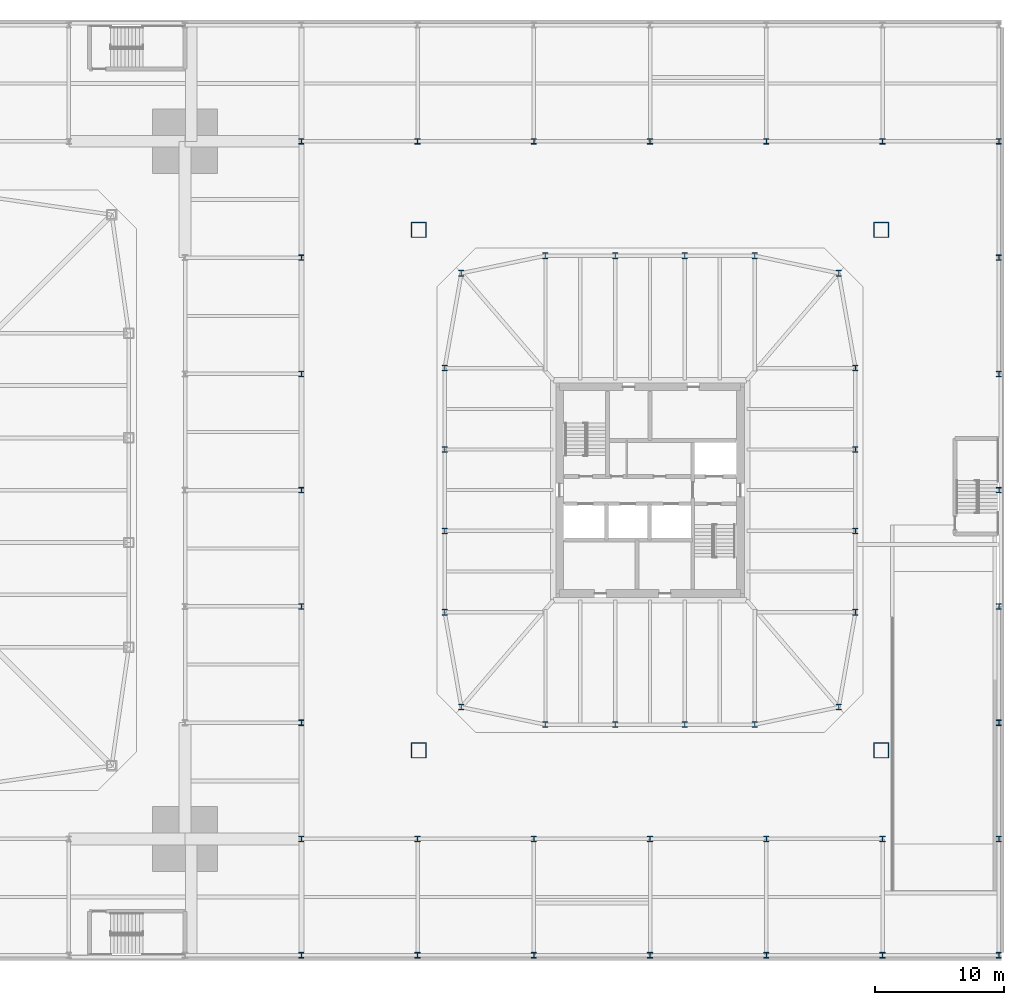
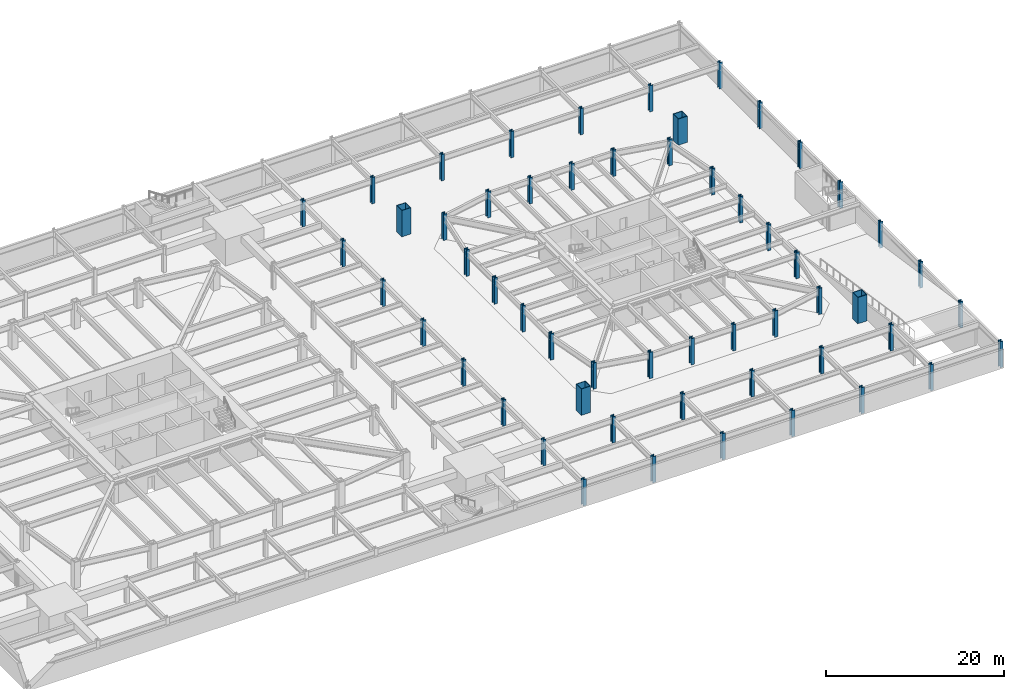
# One storey, part 3 of 17: 55 columns.
"""IFC4 building model written with IfcOpenShell, lengths in metres."""

import ifcopenshell
import ifcopenshell.guid

model = None  # the IFC model being written
_history = None  # IfcOwnerHistory: only IFC2X3 demands one
_inside = {}  # id of a spatial element -> (the spatial element, [elements in it])
_under = {}  # id of a project, library or spatial element -> (it, [spatial elements below it])
_declared = {}  # id of a project -> (the project, [libraries it declares])
_typed = {}  # id of a type object -> (the type object, [elements of that type])
_made_of = {}  # id of a material, layer set ... -> (it, [elements and type objects made of it])


def new_model(schema):
    """Start an empty IFC model of exactly this schema.

    Asked for "IFC4X3", IfcOpenShell would pick the latest addendum, in which some entities
    have other attributes; the version numbers below select the first issue.
    IFC2X3 requires an IfcOwnerHistory on every rooted entity: one is made here for all.
    """
    global model, _history
    if schema == "IFC4X3":
        model = ifcopenshell.file(schema_version=(4, 3, 0, 0))
    else:
        model = ifcopenshell.file(schema=schema)
    _inside.clear()
    _under.clear()
    _declared.clear()
    _typed.clear()
    _made_of.clear()
    _history = None
    if model.schema == "IFC2X3":
        org = make("IfcOrganization", Name="unknown")
        user = make(
            "IfcPersonAndOrganization",
            ThePerson=make("IfcPerson", FamilyName="unknown"),
            TheOrganization=org,
        )
        app = make(
            "IfcApplication",
            ApplicationDeveloper=org,
            Version="unknown",
            ApplicationFullName="unknown",
            ApplicationIdentifier="unknown",
        )
        _history = make(
            "IfcOwnerHistory",
            OwningUser=user,
            OwningApplication=app,
            ChangeAction="ADDED",
            CreationDate=0,
        )
    return model


def make(cls, **values):
    """One entity of the class cls with the attributes given. An attribute that is None is left unset."""
    return model.create_entity(
        cls, **{name: value for name, value in values.items() if value is not None}
    )


def rooted(cls, **values):
    """An entity with a GlobalId (a new one), such as an element, a storey or a relation."""
    return make(cls, GlobalId=ifcopenshell.guid.new(), OwnerHistory=_history, **values)


def si_unit(unit_type, name, prefix=None):
    """IfcSIUnit, for example si_unit("LENGTHUNIT", "METRE", prefix="MILLI")."""
    return make("IfcSIUnit", UnitType=unit_type, Prefix=prefix, Name=name)


def assignment(units):
    """IfcUnitAssignment: the units of a project."""
    return None if units is None else make("IfcUnitAssignment", Units=units)


def point(xyz):
    """IfcCartesianPoint."""
    return None if xyz is None else make("IfcCartesianPoint", Coordinates=xyz)


def direction(xyz):
    """IfcDirection."""
    return None if xyz is None else make("IfcDirection", DirectionRatios=xyz)


def frame(location, z_axis=None, x_axis=None):
    """IfcAxis2Placement3D, a coordinate frame: its origin and axes. An axis left out is left unset."""
    return make(
        "IfcAxis2Placement3D",
        Location=point(location),
        Axis=direction(z_axis),
        RefDirection=direction(x_axis),
    )


def frame_2d(location, x_axis=None):
    """IfcAxis2Placement2D, a coordinate frame in the plane: its origin and x axis."""
    return make(
        "IfcAxis2Placement2D", Location=point(location), RefDirection=direction(x_axis)
    )


def origin():
    """The frame at (0, 0, 0) with its axes left unset."""
    return frame((0.0, 0.0, 0.0))


def origin_2d():
    """The frame at (0, 0) in the plane with its x axis left unset."""
    return frame_2d((0.0, 0.0))


def place(relative_to, where):
    """IfcLocalPlacement: puts the frame where relative to a parent placement (None: the world)."""
    return make(
        "IfcLocalPlacement", PlacementRelTo=relative_to, RelativePlacement=where
    )


def context(
    kind, dimensions, precision=None, world=None, true_north=None, identifier=None
):
    """IfcGeometricRepresentationContext, for example the 3D "Model" context."""
    return make(
        "IfcGeometricRepresentationContext",
        ContextIdentifier=identifier,
        ContextType=kind,
        CoordinateSpaceDimension=dimensions,
        Precision=precision,
        WorldCoordinateSystem=world,
        TrueNorth=true_north,
    )


def subcontext(parent, identifier, kind, view, scale=None):
    """IfcGeometricRepresentationSubContext, for example "Body" below "Model"."""
    return make(
        "IfcGeometricRepresentationSubContext",
        ContextIdentifier=identifier,
        ContextType=kind,
        ParentContext=parent,
        TargetScale=scale,
        TargetView=view,
    )


def project(units=None, contexts=None):
    """IfcProject with its units and contexts."""
    return rooted(
        "IfcProject",
        Name="project",
        RepresentationContexts=contexts,
        UnitsInContext=assignment(units),
    )


def spatial(cls, under=None, at=None, **own):
    """A site, building, storey or space (cls), placed at a placement, below another one or the project."""
    s = rooted(cls, ObjectPlacement=at, **own)
    if under is not None:
        _under.setdefault(under.id(), (under, []))[1].append(s)
    return s


def profile(cls, at=None, kind="AREA", **sizes):
    """A parametric profile (cls). Its sizes go by their IFC names, for example OverallWidth=200.0."""
    return make(cls, ProfileType=kind, Position=at, **sizes)


def hollow_rectangle(**sizes):
    """IfcRectangleHollowProfileDef."""
    return profile("IfcRectangleHollowProfileDef", **sizes)


def i_section(**sizes):
    """IfcIShapeProfileDef."""
    return profile("IfcIShapeProfileDef", **sizes)


def extrude(swept, where, along, depth):
    """IfcExtrudedAreaSolid: the profile swept, set in the frame where, extruded along a direction by depth."""
    return make(
        "IfcExtrudedAreaSolid",
        SweptArea=swept,
        Position=where,
        ExtrudedDirection=direction(along),
        Depth=depth,
    )


def shape(context_of_items, identifier, shape_type, items):
    """IfcShapeRepresentation: the items that make up one representation, for example the "Body"."""
    return make(
        "IfcShapeRepresentation",
        ContextOfItems=context_of_items,
        RepresentationIdentifier=identifier,
        RepresentationType=shape_type,
        Items=items,
    )


def material(Name=None, Category=None):
    """IfcMaterial."""
    return make("IfcMaterial", Name=Name, Category=Category)


def material_profile(
    of_material, cross_section, Name=None, Category=None, Priority=None
):
    """IfcMaterialProfile: a cross section and its material."""
    return make(
        "IfcMaterialProfile",
        Name=Name,
        Material=of_material,
        Profile=cross_section,
        Priority=Priority,
        Category=Category,
    )


def profile_set(profiles, Name=None, composite=None):
    """IfcMaterialProfileSet."""
    return make(
        "IfcMaterialProfileSet",
        Name=Name,
        MaterialProfiles=profiles,
        CompositeProfile=composite,
    )


def made_of(thing, what):
    """Note that an element or type object is made of a material, layer set ...; save() writes the relation."""
    if what is not None:
        _made_of.setdefault(what.id(), (what, []))[1].append(thing)
    return thing


def type_object(cls, material=None, **own):
    """A type object (cls), such as IfcWallType, which elements share."""
    return made_of(rooted(cls, **own), material)


def element(
    cls,
    number,
    at=None,
    inside=None,
    cuts=None,
    type_object=None,
    material=None,
    context=None,
    identifier="Body",
    shape_type=None,
    held_by="IfcProductDefinitionShape",
    body=None,
    shapes=None,
    **own,
):
    """One element of the class cls, such as IfcWall. Its Tag is "e" and its number.

    at: its placement. inside: the storey or other place that contains it. cuts: it is an
    opening in that element (IfcRelVoidsElement). A single representation is given by context,
    identifier, shape_type and body (its items); several are given by shapes. held_by: the class
    of the entity that holds the representations. save() writes the other relations.
    """
    e = rooted(cls, Tag="e%d" % number, ObjectPlacement=at, **own)
    if body is not None:
        shapes = [shape(context, identifier, shape_type, body)]
    if shapes is not None:
        e.Representation = make(held_by, Representations=shapes)
    if inside is not None:
        _inside.setdefault(inside.id(), (inside, []))[1].append(e)
    if cuts is not None:
        rooted(
            "IfcRelVoidsElement", RelatingBuildingElement=cuts, RelatedOpeningElement=e
        )
    if type_object is not None:
        _typed.setdefault(type_object.id(), (type_object, []))[1].append(e)
    return made_of(e, material)


def aggregate(whole, parts):
    """IfcRelAggregates: a whole, such as a stair, and the parts it consists of."""
    return rooted("IfcRelAggregates", RelatingObject=whole, RelatedObjects=parts)


def save(model, path):
    """Write the relations noted so far, then the file.

    IfcRelAggregates (storeys below a building ...), IfcRelContainedInSpatialStructure (elements
    in a storey), IfcRelDefinesByType, IfcRelAssociatesMaterial and IfcRelDeclares: one each for
    every whole, place, type object, material and project.
    """
    for whole, parts in _under.values():
        aggregate(whole, parts)
    for where, things in _inside.values():
        rooted(
            "IfcRelContainedInSpatialStructure",
            RelatedElements=things,
            RelatingStructure=where,
        )
    for kind, things in _typed.values():
        rooted("IfcRelDefinesByType", RelatedObjects=things, RelatingType=kind)
    for what, things in _made_of.values():
        rooted("IfcRelAssociatesMaterial", RelatedObjects=things, RelatingMaterial=what)
    for by, libraries in _declared.values():
        rooted("IfcRelDeclares", RelatingContext=by, RelatedDefinitions=libraries)
    model.write(path)


model = new_model("IFC4")

# Units and contexts
model_context = context("Model", 3, precision=1e-05, world=origin(), true_north=direction((0.0, 1.0)))
body_context = subcontext(model_context, "Body", "Model", "MODEL_VIEW")
ifc_project = project(units=[si_unit("LENGTHUNIT", "METRE"), si_unit("AREAUNIT", "SQUARE_METRE"), si_unit("VOLUMEUNIT", "CUBIC_METRE"), si_unit("PLANEANGLEUNIT", "RADIAN"), si_unit("MASSUNIT", "GRAM", prefix="KILO")], contexts=[model_context])

# Site, building, storey
site_placement = place(None, origin())
site = spatial("IfcSite", under=ifc_project, at=site_placement, CompositionType="ELEMENT")
building_placement = place(site_placement, origin())
building = spatial("IfcBuilding", under=site, at=building_placement, Name="Iwan Alto Co-Living Towers", CompositionType="ELEMENT")
storey_placement = place(building_placement, frame((0.0, 0.0, -3.60009765625)))
storey = spatial("IfcBuildingStorey", under=building, at=storey_placement, Name="B1", CompositionType="ELEMENT", Elevation=-3.60009765625)

# Columns
ifc_material_1 = material(Name="Steel ASTM A992 Gr 50", Category="steel")
ifc_material_profile_1 = material_profile(ifc_material_1, i_section(OverallWidth=0.411376953125, OverallDepth=0.434326171875, WebThickness=0.035888671875, FlangeThickness=0.057373046875, at=origin_2d()), Name="W14X311")
ifc_profile_set_1 = profile_set([ifc_material_profile_1], Name="Steel ASTM A992 Gr 50")
column_type_1 = type_object("IfcColumnType", Name="PODIUM COLUMN W14X311", PredefinedType="COLUMN", material=ifc_profile_set_1)
for number, where, z_axis, x_axis, name in (
    (1, (36.0, -36.0, 0.0), (0.0, 0.0, 1.0), (1.0, 0.0, 0.0), "Podium column 9/A B1"),
    (2, (36.0, -27.0, 0.0), (0.0, 0.0, 1.0), (1.0, 0.0, 0.0), "Podium column 9/B B1"),
    (3, (36.0, -18.0, 0.0), (0.0, 0.0, 1.0), (1.0, 0.0, 0.0), "Podium column 9/C B1"),
    (4, (36.0, -9.0, 0.0), (0.0, 0.0, 1.0), (1.0, 0.0, 0.0), "Podium column 9/D B1"),
    (5, (36.0, 0.0, 0.0), (0.0, 0.0, 1.0), (1.0, 0.0, 0.0), "Podium column 9/E B1"),
    (6, (36.0, 9.0, 0.0), (0.0, 0.0, 1.0), (1.0, 0.0, 0.0), "Podium column 9/F B1"),
    (7, (36.0, 18.0, 0.0), (0.0, 0.0, 1.0), (1.0, 0.0, 0.0), "Podium column 9/G B1"),
    (8, (36.0, 27.0, 0.0), (0.0, 0.0, 1.0), (1.0, 0.0, 0.0), "Podium column 9/H B1"),
    (9, (45.0, -36.0, 0.0), (0.0, 0.0, 1.0), (1.0, 0.0, 0.0), "Podium column 10/A B1"),
    (10, (45.0, -27.0, 0.0), (0.0, 0.0, 1.0), (1.0, 0.0, 0.0), "Podium column 10/B B1"),
    (11, (45.0, 27.0, 0.0), (0.0, 0.0, 1.0), (1.0, 0.0, 0.0), "Podium column 10/H B1"),
    (12, (54.0, -36.0, 0.0), (0.0, 0.0, 1.0), (1.0, 0.0, 0.0), "Podium column 11/A B1"),
    (13, (54.0, -27.0, 0.0), (0.0, 0.0, 1.0), (1.0, 0.0, 0.0), "Podium column 11/B B1"),
    (14, (54.0, 27.0, 0.0), (0.0, 0.0, 1.0), (1.0, 0.0, 0.0), "Podium column 11/H B1"),
    (15, (63.0, -36.0, 0.0), (0.0, 0.0, 1.0), (1.0, 0.0, 0.0), "Podium column 12/A B1"),
    (16, (63.0, -27.0, 0.0), (0.0, 0.0, 1.0), (1.0, 0.0, 0.0), "Podium column 12/B B1"),
    (17, (63.0, 27.0, 0.0), (0.0, 0.0, 1.0), (1.0, 0.0, 0.0), "Podium column 12/H B1"),
    (18, (72.0, -36.0, 0.0), (0.0, 0.0, 1.0), (1.0, 0.0, 0.0), "Podium column 13/A B1"),
    (19, (72.0, -27.0, 0.0), (0.0, 0.0, 1.0), (1.0, 0.0, 0.0), "Podium column 13/B B1"),
    (20, (72.0, 27.0, 0.0), (0.0, 0.0, 1.0), (1.0, 0.0, 0.0), "Podium column 13/H B1"),
    (21, (81.0, -36.0, 0.0), (0.0, 0.0, 1.0), (1.0, 0.0, 0.0), "Podium column 14/A B1"),
    (22, (81.0, -27.0, 0.0), (0.0, 0.0, 1.0), (1.0, 0.0, 0.0), "Podium column 14/B B1"),
    (23, (81.0, 27.0, 0.0), (0.0, 0.0, 1.0), (1.0, 0.0, 0.0), "Podium column 14/H B1"),
    (24, (90.0, -36.0, 0.0), (0.0, 0.0, 1.0), (1.0, 0.0, 0.0), "Podium column 15/A B1"),
    (25, (90.0, -27.0, 0.0), (0.0, 0.0, 1.0), (1.0, 0.0, 0.0), "Podium column 15/B B1"),
    (26, (90.0, -18.0, 0.0), (0.0, 0.0, 1.0), (1.0, 0.0, 0.0), "Podium column 15/C B1"),
    (27, (90.0, -9.0, 0.0), (0.0, 0.0, 1.0), (1.0, 0.0, 0.0), "Podium column 15/D B1"),
    (28, (90.0, 0.0, 0.0), (0.0, 0.0, 1.0), (1.0, 0.0, 0.0), "Podium column 15/E B1"),
    (29, (90.0, 9.0, 0.0), (0.0, 0.0, 1.0), (1.0, 0.0, 0.0), "Podium column 15/F B1"),
    (30, (90.0, 18.0, 0.0), (0.0, 0.0, 1.0), (1.0, 0.0, 0.0), "Podium column 15/G B1"),
    (31, (90.0, 27.0, 0.0), (0.0, 0.0, 1.0), (1.0, 0.0, 0.0), "Podium column 15/H B1"),
):
    element("IfcColumn", number, at=place(storey_placement, frame(where, z_axis=z_axis, x_axis=x_axis)), inside=storey, type_object=column_type_1, Name=name, PredefinedType="COLUMN", context=body_context, shape_type="SweptSolid", body=[
        extrude(i_section(OverallWidth=0.411376953125, OverallDepth=0.434326171875, WebThickness=0.035888671875, FlangeThickness=0.057373046875, at=origin_2d()), origin(), (0.0, 0.0, 1.0), 3.60009765625),
    ])
ifc_material_2 = material(Name="Steel ASTM A572 Gr 50", Category="steel")
ifc_material_profile_2 = material_profile(ifc_material_2, hollow_rectangle(XDim=1.199951171875, YDim=1.199951171875, WallThickness=0.070068359375, at=origin_2d()), Name="BOX 1200X1200X70")
ifc_profile_set_2 = profile_set([ifc_material_profile_2], Name="Steel ASTM A572 Gr 50")
column_type_2 = type_object("IfcColumnType", Name="T2 MEGA COLUMN BOX 1200X1200X70", PredefinedType="COLUMN", material=ifc_profile_set_2)
for number, where, z_axis, x_axis, name in (
    (32, (45.10009765625, -20.14990234375, 0.0), (0.0, 0.0, 1.0), (1.0, 0.0, 0.0), "T2 mega column SW B1"),
    (33, (80.89990234375, -20.14990234375, 0.0), (0.0, 0.0, 1.0), (1.0, 0.0, 0.0), "T2 mega column SE B1"),
    (34, (80.89990234375, 20.14990234375, 0.0), (0.0, 0.0, 1.0), (1.0, 0.0, 0.0), "T2 mega column NE B1"),
    (35, (45.10009765625, 20.14990234375, 0.0), (0.0, 0.0, 1.0), (1.0, 0.0, 0.0), "T2 mega column NW B1"),
):
    element("IfcColumn", number, at=place(storey_placement, frame(where, z_axis=z_axis, x_axis=x_axis)), inside=storey, type_object=column_type_2, Name=name, PredefinedType="COLUMN", context=body_context, shape_type="SweptSolid", body=[
        extrude(hollow_rectangle(XDim=1.199951171875, YDim=1.199951171875, WallThickness=0.070068359375, at=origin_2d()), origin(), (0.0, 0.0, 1.0), 3.60009765625),
    ])
ifc_material_3 = material(Name="Steel ASTM A992 Gr 50", Category="steel")
ifc_material_profile_3 = material_profile(ifc_material_3, i_section(OverallWidth=0.424072265625, OverallDepth=0.47509765625, WebThickness=0.0478515625, FlangeThickness=0.0771484375, at=origin_2d()), Name="W14X426")
ifc_profile_set_3 = profile_set([ifc_material_profile_3], Name="Steel ASTM A992 Gr 50")
column_type_3 = type_object("IfcColumnType", Name="T2 RING COLUMN W14X426", PredefinedType="COLUMN", material=ifc_profile_set_3)
for number, where, z_axis, x_axis, name in (
    (36, (48.393798828125, -16.797119140625, 0.0), (0.0, 0.0, 1.0), (1.0, 0.0, 0.0), "T2 ring column CSW B1"),
    (37, (54.89990234375, -18.14990234375, 0.0), (0.0, 0.0, 1.0), (1.0, 0.0, 0.0), "T2 ring column S1 B1"),
    (38, (60.300048828125, -18.14990234375, 0.0), (0.0, 0.0, 1.0), (1.0, 0.0, 0.0), "T2 ring column S2 B1"),
    (39, (65.699951171875, -18.14990234375, 0.0), (0.0, 0.0, 1.0), (1.0, 0.0, 0.0), "T2 ring column S3 B1"),
    (40, (71.10009765625, -18.14990234375, 0.0), (0.0, 0.0, 1.0), (1.0, 0.0, 0.0), "T2 ring column S4 B1"),
    (41, (77.606201171875, -16.797119140625, 0.0), (0.0, 0.0, 1.0), (1.0, 0.0, 0.0), "T2 ring column CSE B1"),
    (42, (78.89990234375, -9.449951171875, 0.0), (0.0, 0.0, 1.0), (1.0, 0.0, 0.0), "T2 ring column E1 B1"),
    (43, (78.89990234375, -3.14990234375, 0.0), (0.0, 0.0, 1.0), (1.0, 0.0, 0.0), "T2 ring column E2 B1"),
    (44, (78.89990234375, 3.14990234375, 0.0), (0.0, 0.0, 1.0), (1.0, 0.0, 0.0), "T2 ring column E3 B1"),
    (45, (78.89990234375, 9.449951171875, 0.0), (0.0, 0.0, 1.0), (1.0, 0.0, 0.0), "T2 ring column E4 B1"),
    (46, (77.606201171875, 16.797119140625, 0.0), (0.0, 0.0, 1.0), (1.0, 0.0, 0.0), "T2 ring column CNE B1"),
    (47, (71.10009765625, 18.14990234375, 0.0), (0.0, 0.0, 1.0), (1.0, 0.0, 0.0), "T2 ring column N1 B1"),
    (48, (65.699951171875, 18.14990234375, 0.0), (0.0, 0.0, 1.0), (1.0, 0.0, 0.0), "T2 ring column N2 B1"),
    (49, (60.300048828125, 18.14990234375, 0.0), (0.0, 0.0, 1.0), (1.0, 0.0, 0.0), "T2 ring column N3 B1"),
    (50, (54.89990234375, 18.14990234375, 0.0), (0.0, 0.0, 1.0), (1.0, 0.0, 0.0), "T2 ring column N4 B1"),
    (51, (48.393798828125, 16.797119140625, 0.0), (0.0, 0.0, 1.0), (1.0, 0.0, 0.0), "T2 ring column CNW B1"),
    (52, (47.10009765625, 9.449951171875, 0.0), (0.0, 0.0, 1.0), (1.0, 0.0, 0.0), "T2 ring column W1 B1"),
    (53, (47.10009765625, 3.14990234375, 0.0), (0.0, 0.0, 1.0), (1.0, 0.0, 0.0), "T2 ring column W2 B1"),
    (54, (47.10009765625, -3.14990234375, 0.0), (0.0, 0.0, 1.0), (1.0, 0.0, 0.0), "T2 ring column W3 B1"),
    (55, (47.10009765625, -9.449951171875, 0.0), (0.0, 0.0, 1.0), (1.0, 0.0, 0.0), "T2 ring column W4 B1"),
):
    element("IfcColumn", number, at=place(storey_placement, frame(where, z_axis=z_axis, x_axis=x_axis)), inside=storey, type_object=column_type_3, Name=name, PredefinedType="COLUMN", context=body_context, shape_type="SweptSolid", body=[
        extrude(i_section(OverallWidth=0.424072265625, OverallDepth=0.47509765625, WebThickness=0.0478515625, FlangeThickness=0.0771484375, at=origin_2d()), origin(), (0.0, 0.0, 1.0), 3.60009765625),
    ])

save(model, "model.ifc")
